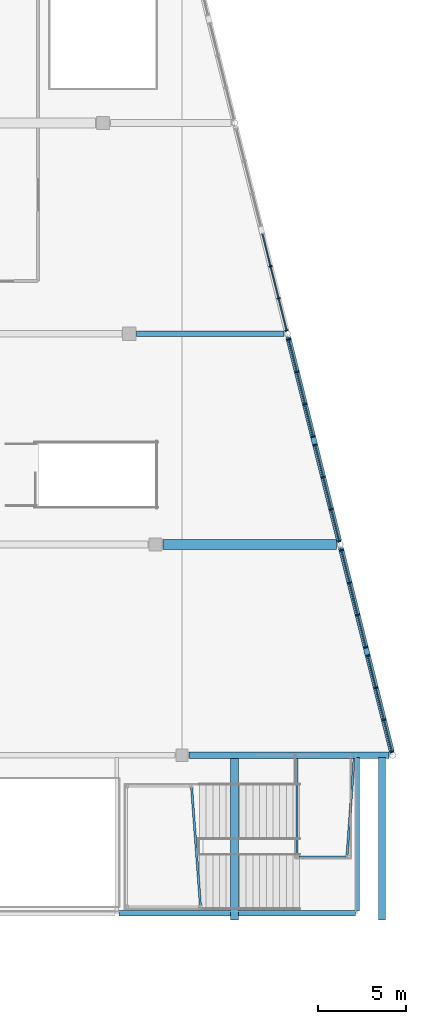
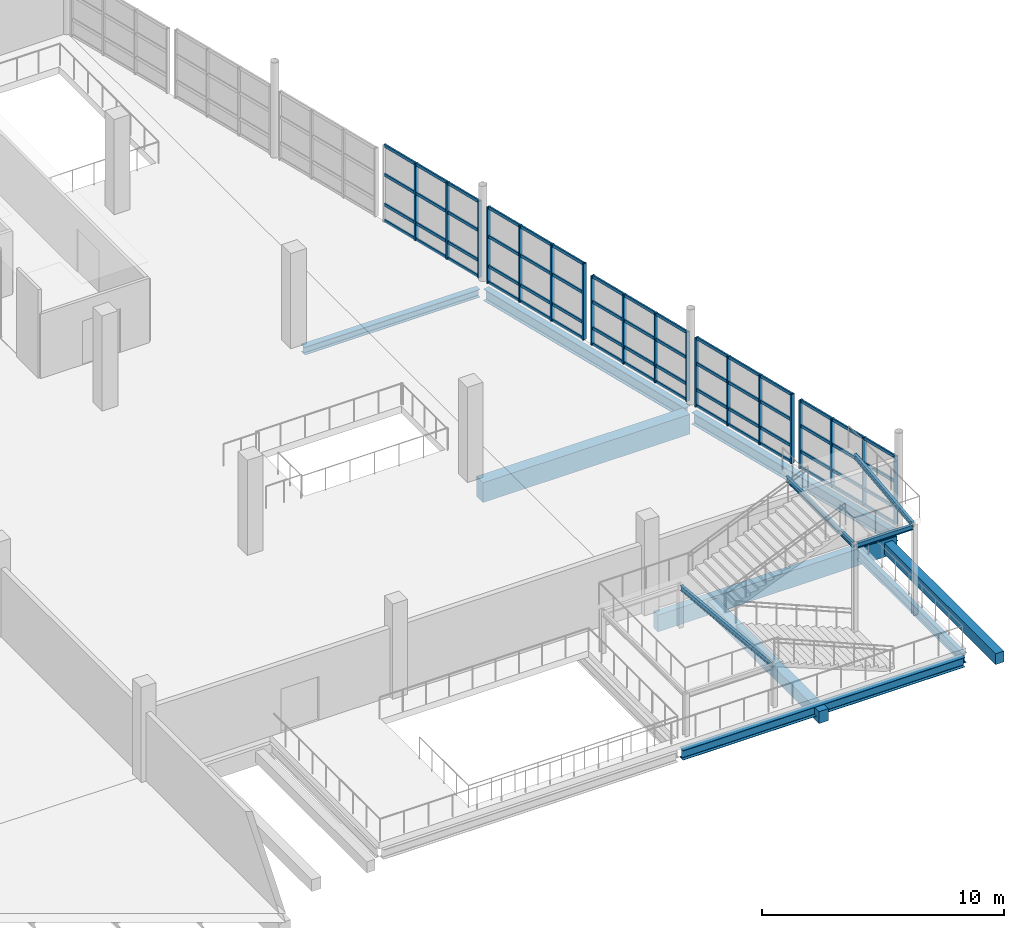
# One storey, part 40 of 112: 41 members, 11 beams, 5 elements without a shape of their own.
"""IFC4 building model written with IfcOpenShell, lengths in metres."""

from ifc_helpers import new_model, si_unit, direction, frame, origin, origin_2d, place, context, subcontext, project, spatial, rectangle, i_section, extrude, material, material_profile, profile_set, type_object, element, aggregate, save


model = new_model("IFC4")

# Units and contexts
model_context = context("Model", 3, precision=1e-05, world=origin(), true_north=direction((0.0, 1.0)))
body_context = subcontext(model_context, "Body", "Model", "MODEL_VIEW")
ifc_project = project(units=[si_unit("LENGTHUNIT", "METRE"), si_unit("AREAUNIT", "SQUARE_METRE"), si_unit("VOLUMEUNIT", "CUBIC_METRE"), si_unit("PLANEANGLEUNIT", "RADIAN"), si_unit("MASSUNIT", "GRAM", prefix="KILO")], contexts=[model_context])

# Site, building, storey
site_placement = place(None, origin())
site = spatial("IfcSite", under=ifc_project, at=site_placement, CompositionType="ELEMENT")
building_placement = place(site_placement, origin())
building = spatial("IfcBuilding", under=site, at=building_placement, Name="Kamomehara Wholesale Market", CompositionType="ELEMENT")
storey_placement = place(building_placement, frame((0.0, 0.0, 6.60009765625)))
storey = spatial("IfcBuildingStorey", under=building, at=storey_placement, Name="L01", CompositionType="ELEMENT", Elevation=6.60009765625)

# Beams
ifc_material_1 = material(Name="Concrete Fc36 (C35/45)", Category="concrete")
ifc_material_profile_1 = material_profile(ifc_material_1, rectangle(XDim=0.550048828125, YDim=1.0, at=origin_2d()), Name="RC-SEB-550x1000")
ifc_profile_set_1 = profile_set([ifc_material_profile_1], Name="Concrete Fc36 (C35/45)")
beam_type_1 = type_object("IfcBeamType", Name="BM-SEB1000-EXT", PredefinedType="SPANDREL", material=ifc_profile_set_1)
beam_1_placement = place(storey_placement, frame((190.925048828125, 36.0, -0.85205078125), z_axis=(1.0, 0.0, 0.0), x_axis=(0.0, 1.0, 0.0)))
element("IfcBeam", 1, at=beam_1_placement, inside=storey, type_object=beam_type_1, Name="Beam SEB-03E L01", PredefinedType="SPANDREL", context=body_context, shape_type="SweptSolid", body=[
    extrude(rectangle(XDim=0.550048828125, YDim=1.0, at=origin_2d()), origin(), (0.0, 0.0, 1.0), 9.8720703125),
])
ifc_material_2 = material(Name="Precast concrete Fc45 (C40/50)", Category="concrete")
ifc_material_profile_2 = material_profile(ifc_material_2, rectangle(XDim=0.35009765625, YDim=0.85009765625, at=origin_2d()), Name="PC-SPN-350x850")
ifc_profile_set_2 = profile_set([ifc_material_profile_2], Name="Precast concrete Fc45 (C40/50)")
beam_type_2 = type_object("IfcBeamType", Name="BM-SPN850-EXT", PredefinedType="SPANDREL", material=ifc_profile_set_2)
beam_2_placement = place(storey_placement, frame((192.39990234375, 24.0, -0.752197265625), z_axis=(1.0, 0.0, 0.0), x_axis=(0.0, 1.0, 0.0)))
element("IfcBeam", 2, at=beam_2_placement, inside=storey, type_object=beam_type_2, Name="Beam SPN-02E L01", PredefinedType="SPANDREL", context=body_context, shape_type="SweptSolid", body=[
    extrude(rectangle(XDim=0.35009765625, YDim=0.85009765625, at=origin_2d()), origin(), (0.0, 0.0, 1.0), 11.397216796875),
])
ifc_material_3 = material(Name="Steel SN400B", Category="steel")
ifc_material_profile_3 = material_profile(ifc_material_3, i_section(OverallWidth=0.125, OverallDepth=0.25, WebThickness=0.006103515625, FlangeThickness=0.009033203125, FilletRadius=0.008056640625, at=origin_2d()), Name="H-250x125x6x9")
ifc_profile_set_3 = profile_set([ifc_material_profile_3], Name="Steel SN400B")
beam_type_3 = type_object("IfcBeamType", Name="BM-ST-H250-EXT", PredefinedType="JOIST", material=ifc_profile_set_3)
beam_3_placement = place(storey_placement, frame((198.64990234375, 18.199951171875, 4.434814453125), z_axis=(1.0, 0.0, 0.0), x_axis=(0.0, 1.0, 0.0)))
element("IfcBeam", 3, at=beam_3_placement, inside=storey, type_object=beam_type_3, Name="Beam SJ-06E L01", PredefinedType="JOIST", context=body_context, shape_type="SweptSolid", body=[
    extrude(i_section(OverallWidth=0.125, OverallDepth=0.25, WebThickness=0.006103515625, FlangeThickness=0.009033203125, FilletRadius=0.008056640625, at=origin_2d()), origin(), (0.0, 0.0, 1.0), 2.650146484375),
])
beam_4_placement = place(storey_placement, frame((198.550048828125, 18.300048828125, 4.434814453125), z_axis=(0.0, 1.0, 0.0), x_axis=(-1.0, 0.0, 0.0)))
element("IfcBeam", 4, at=beam_4_placement, inside=storey, type_object=beam_type_3, Name="Beam SJ-06E L01", PredefinedType="JOIST", context=body_context, shape_type="SweptSolid", body=[
    extrude(i_section(OverallWidth=0.125, OverallDepth=0.25, WebThickness=0.006103515625, FlangeThickness=0.009033203125, FilletRadius=0.008056640625, at=origin_2d()), origin(), (0.0, 0.0, 1.0), 5.5),
])
beam_5_placement = place(storey_placement, frame((201.39990234375, 18.300048828125, 4.434814453125), z_axis=(0.072562119306, 0.997363894896, 0.0), x_axis=(-0.997363894896, 0.072562119306, 0.0)))
element("IfcBeam", 5, at=beam_5_placement, inside=storey, type_object=beam_type_3, Name="Beam SJ-06E L01", PredefinedType="JOIST", context=body_context, shape_type="SweptSolid", body=[
    extrude(i_section(OverallWidth=0.125, OverallDepth=0.25, WebThickness=0.006103515625, FlangeThickness=0.009033203125, FilletRadius=0.008056640625, at=origin_2d()), origin(), (0.0, 0.0, 1.0), 5.5146484375),
])
beam_6_placement = place(storey_placement, frame((193.050048828125, 15.449951171875, 2.034912109375), z_axis=(-0.074420464178, 0.997226952359, 0.0), x_axis=(-0.997226952359, -0.074420464178, 0.0)))
element("IfcBeam", 6, at=beam_6_placement, inside=storey, type_object=beam_type_3, Name="Beam SJ-06E L01 ST20.2", PredefinedType="JOIST", context=body_context, shape_type="SweptSolid", body=[
    extrude(i_section(OverallWidth=0.125, OverallDepth=0.25, WebThickness=0.006103515625, FlangeThickness=0.009033203125, FilletRadius=0.008056640625, at=origin_2d()), origin(), (0.0, 0.0, 1.0), 6.718505859375),
])
ifc_material_4 = material(Name="Steel SN490B", Category="steel")
ifc_material_profile_4 = material_profile(ifc_material_4, i_section(OverallWidth=0.300048828125, OverallDepth=0.389892578125, WebThickness=0.010009765625, FlangeThickness=0.01611328125, FilletRadius=0.01806640625, at=origin_2d()), Name="H-390x300x10x16")
ifc_profile_set_4 = profile_set([ifc_material_profile_4], Name="Steel SN490B")
beam_type_4 = type_object("IfcBeamType", Name="BM-ST-H390-EXT", PredefinedType="SPANDREL", material=ifc_profile_set_4)
beam_7_placement = place(storey_placement, frame((189.425048828125, 48.0, -0.547119140625), z_axis=(1.0, 0.0, 0.0), x_axis=(0.0, 1.0, 0.0)))
element("IfcBeam", 7, at=beam_7_placement, inside=storey, type_object=beam_type_4, Name="Beam SJ-03E L01", PredefinedType="SPANDREL", context=body_context, shape_type="SweptSolid", body=[
    extrude(i_section(OverallWidth=0.300048828125, OverallDepth=0.389892578125, WebThickness=0.010009765625, FlangeThickness=0.01611328125, FilletRadius=0.01806640625, at=origin_2d()), origin(), (0.0, 0.0, 1.0), 8.3720703125),
])
ifc_material_5 = material(Name="Steel SN490B", Category="steel")
ifc_material_profile_5 = material_profile(ifc_material_5, i_section(OverallWidth=0.300048828125, OverallDepth=0.488037109375, WebThickness=0.010986328125, FlangeThickness=0.01806640625, FilletRadius=0.02197265625, at=origin_2d()), Name="H-488x300x11x18")
ifc_profile_set_5 = profile_set([ifc_material_profile_5], Name="Steel SN490B")
beam_type_5 = type_object("IfcBeamType", Name="BM-ST-H488-EXT", PredefinedType="BEAM", material=ifc_profile_set_5)
beam_8_placement = place(storey_placement, frame((188.425048828125, 15.0, -0.571044921875), z_axis=(1.0, 0.0, 0.0), x_axis=(0.0, 1.0, 0.0)))
element("IfcBeam", 8, at=beam_8_placement, inside=storey, type_object=beam_type_5, Name="Beam SG-08E L01", PredefinedType="BEAM", context=body_context, shape_type="SweptSolid", body=[
    extrude(i_section(OverallWidth=0.300048828125, OverallDepth=0.488037109375, WebThickness=0.010986328125, FlangeThickness=0.01806640625, FilletRadius=0.02197265625, at=origin_2d()), origin(), (0.0, 0.0, 1.0), 13.449951171875),
])
ifc_material_6 = material(Name="Steel SN490B", Category="steel")
ifc_material_profile_6 = material_profile(ifc_material_6, i_section(OverallWidth=0.199951171875, OverallDepth=0.5, WebThickness=0.010009765625, FlangeThickness=0.01611328125, FilletRadius=0.012939453125, at=origin_2d()), Name="H-500x200x10x16")
ifc_profile_set_6 = profile_set([ifc_material_profile_6], Name="Steel SN490B")
beam_type_6 = type_object("IfcBeamType", Name="BM-ST-H500-EXT", PredefinedType="BEAM", material=ifc_profile_set_6)
beam_9_placement = place(storey_placement, frame((202.0, 15.125, -0.5771484375), z_axis=(0.0, 1.0, 0.0), x_axis=(-1.0, 0.0, 0.0)))
element("IfcBeam", 9, at=beam_9_placement, inside=storey, type_object=beam_type_6, Name="Beam SG-07E L01", PredefinedType="BEAM", context=body_context, shape_type="SweptSolid", body=[
    extrude(i_section(OverallWidth=0.199951171875, OverallDepth=0.5, WebThickness=0.010009765625, FlangeThickness=0.01611328125, FilletRadius=0.012939453125, at=origin_2d()), origin(), (0.0, 0.0, 1.0), 8.75),
])
ifc_material_7 = material(Name="Steel SN490B", Category="steel")
ifc_material_profile_7 = material_profile(ifc_material_7, i_section(OverallWidth=0.300048828125, OverallDepth=0.587890625, WebThickness=0.011962890625, FlangeThickness=0.02001953125, FilletRadius=0.02197265625, at=origin_2d()), Name="H-588x300x12x20")
ifc_profile_set_7 = profile_set([ifc_material_profile_7], Name="Steel SN490B")
beam_type_7 = type_object("IfcBeamType", Name="BM-ST-H588-EXT", PredefinedType="BEAM", material=ifc_profile_set_7)
for number, where, z_axis, x_axis, name in (
    (10, (203.950927734375, 24.197021484375, -0.6162109375), (-0.242564435623, 0.970135297044, 0.0), (-0.970135297044, -0.242564435623, 0.0), "Beam SG-06E L01"),
    (11, (200.950927734375, 36.197021484375, -0.6162109375), (-0.242564435623, 0.970135297044, 0.0), (-0.970135297044, -0.242564435623, 0.0), "Beam SG-06E L01"),
):
    element("IfcBeam", number, at=place(storey_placement, frame(where, z_axis=z_axis, x_axis=x_axis)), inside=storey, type_object=beam_type_7, Name=name, PredefinedType="BEAM", context=body_context, shape_type="SweptSolid", body=[
        extrude(i_section(OverallWidth=0.300048828125, OverallDepth=0.587890625, WebThickness=0.011962890625, FlangeThickness=0.02001953125, FilletRadius=0.02197265625, at=origin_2d()), origin(), (0.0, 0.0, 1.0), 11.963134765625),
    ])

# Curtain wall, members
ifc_material_8 = material(Name="Anodised aluminium 6063-T5", Category="aluminium")
curtain_wall_type = type_object("IfcCurtainWallType", Name="CW-UN-09", PredefinedType="NOTDEFINED", material=ifc_material_8)
curtain_wall_1_placement = place(storey_placement, origin())
curtain_wall_1 = element("IfcCurtainWall", 12, at=curtain_wall_1_placement, inside=storey, type_object=curtain_wall_type, Name="Unitised curtain wall CW-177", PredefinedType="NOTDEFINED")
ifc_material_9 = material(Name="Anodised aluminium 6063-T5", Category="aluminium")
ifc_material_profile_8 = material_profile(ifc_material_9, rectangle(XDim=0.074951171875, YDim=0.179931640625, at=origin_2d()), Name="ALU-MUL-75x180")
ifc_profile_set_8 = profile_set([ifc_material_profile_8], Name="Anodised aluminium 6063-T5")
member_type_1 = type_object("IfcMemberType", Name="CW-MUL-180", PredefinedType="MULLION", material=ifc_profile_set_8)
member_1_placement = place(storey_placement, frame((201.0849609375, 35.659912109375, 0.0), z_axis=(0.0, 0.0, 1.0), x_axis=(0.242617855844, -0.97012193874, 0.0)))
member_1 = element("IfcMember", 13, at=member_1_placement, type_object=member_type_1, Name="Mullion CW-177.0", PredefinedType="MULLION", context=body_context, shape_type="SweptSolid", body=[
    extrude(rectangle(XDim=0.074951171875, YDim=0.179931640625, at=origin_2d()), origin(), (0.0, 0.0, 1.0), 3.48779296875),
])
member_2_placement = place(storey_placement, frame((201.544921875, 33.822021484375, 0.0), z_axis=(0.0, 0.0, 1.0), x_axis=(0.242617855844, -0.97012193874, 0.0)))
member_2 = element("IfcMember", 14, at=member_2_placement, type_object=member_type_1, Name="Mullion CW-177.1", PredefinedType="MULLION", context=body_context, shape_type="SweptSolid", body=[
    extrude(rectangle(XDim=0.074951171875, YDim=0.179931640625, at=origin_2d()), origin(), (0.0, 0.0, 1.0), 3.48779296875),
])
member_3_placement = place(storey_placement, frame((202.00390625, 31.98388671875, 0.0), z_axis=(0.0, 0.0, 1.0), x_axis=(0.242617855844, -0.97012193874, 0.0)))
member_3 = element("IfcMember", 15, at=member_3_placement, type_object=member_type_1, Name="Mullion CW-177.2", PredefinedType="MULLION", context=body_context, shape_type="SweptSolid", body=[
    extrude(rectangle(XDim=0.074951171875, YDim=0.179931640625, at=origin_2d()), origin(), (0.0, 0.0, 1.0), 3.48779296875),
])
member_4_placement = place(storey_placement, frame((202.464111328125, 30.14599609375, 0.0), z_axis=(0.0, 0.0, 1.0), x_axis=(0.242617855844, -0.97012193874, 0.0)))
member_4 = element("IfcMember", 16, at=member_4_placement, type_object=member_type_1, Name="Mullion CW-177.3", PredefinedType="MULLION", context=body_context, shape_type="SweptSolid", body=[
    extrude(rectangle(XDim=0.074951171875, YDim=0.179931640625, at=origin_2d()), origin(), (0.0, 0.0, 1.0), 3.48779296875),
])

curtain_wall_2_placement = place(storey_placement, origin())
curtain_wall_2 = element("IfcCurtainWall", 17, at=curtain_wall_2_placement, inside=storey, type_object=curtain_wall_type, Name="Unitised curtain wall CW-178", PredefinedType="NOTDEFINED")
member_5_placement = place(storey_placement, frame((202.5849609375, 29.659912109375, 0.0), z_axis=(0.0, 0.0, 1.0), x_axis=(0.242451920441, -0.970163422458, 0.0)))
member_5 = element("IfcMember", 18, at=member_5_placement, type_object=member_type_1, Name="Mullion CW-178.0", PredefinedType="MULLION", context=body_context, shape_type="SweptSolid", body=[
    extrude(rectangle(XDim=0.074951171875, YDim=0.179931640625, at=origin_2d()), origin(), (0.0, 0.0, 1.0), 3.44287109375),
])
member_6_placement = place(storey_placement, frame((203.041015625, 27.833984375, 0.0), z_axis=(0.0, 0.0, 1.0), x_axis=(0.242451920441, -0.970163422458, 0.0)))
member_6 = element("IfcMember", 19, at=member_6_placement, type_object=member_type_1, Name="Mullion CW-178.1", PredefinedType="MULLION", context=body_context, shape_type="SweptSolid", body=[
    extrude(rectangle(XDim=0.074951171875, YDim=0.179931640625, at=origin_2d()), origin(), (0.0, 0.0, 1.0), 3.44287109375),
])
member_7_placement = place(storey_placement, frame((203.498046875, 26.008056640625, 0.0), z_axis=(0.0, 0.0, 1.0), x_axis=(0.242451920441, -0.970163422458, 0.0)))
member_7 = element("IfcMember", 20, at=member_7_placement, type_object=member_type_1, Name="Mullion CW-178.2", PredefinedType="MULLION", context=body_context, shape_type="SweptSolid", body=[
    extrude(rectangle(XDim=0.074951171875, YDim=0.179931640625, at=origin_2d()), origin(), (0.0, 0.0, 1.0), 3.44287109375),
])
member_8_placement = place(storey_placement, frame((203.9541015625, 24.181884765625, 0.0), z_axis=(0.0, 0.0, 1.0), x_axis=(0.242451920441, -0.970163422458, 0.0)))
member_8 = element("IfcMember", 21, at=member_8_placement, type_object=member_type_1, Name="Mullion CW-178.3", PredefinedType="MULLION", context=body_context, shape_type="SweptSolid", body=[
    extrude(rectangle(XDim=0.074951171875, YDim=0.179931640625, at=origin_2d()), origin(), (0.0, 0.0, 1.0), 3.44287109375),
])

curtain_wall_3_placement = place(storey_placement, origin())
curtain_wall_3 = element("IfcCurtainWall", 22, at=curtain_wall_3_placement, inside=storey, type_object=curtain_wall_type, Name="Unitised curtain wall CW-179", PredefinedType="NOTDEFINED")
member_9_placement = place(storey_placement, frame((198.0849609375, 47.659912109375, 0.0), z_axis=(0.0, 0.0, 1.0), x_axis=(0.242617855844, -0.97012193874, 0.0)))
member_9 = element("IfcMember", 23, at=member_9_placement, type_object=member_type_1, Name="Mullion CW-179.0", PredefinedType="MULLION", context=body_context, shape_type="SweptSolid", body=[
    extrude(rectangle(XDim=0.074951171875, YDim=0.179931640625, at=origin_2d()), origin(), (0.0, 0.0, 1.0), 3.849853515625),
])
member_10_placement = place(storey_placement, frame((198.544921875, 45.822021484375, 0.0), z_axis=(0.0, 0.0, 1.0), x_axis=(0.242617855844, -0.97012193874, 0.0)))
member_10 = element("IfcMember", 24, at=member_10_placement, type_object=member_type_1, Name="Mullion CW-179.1", PredefinedType="MULLION", context=body_context, shape_type="SweptSolid", body=[
    extrude(rectangle(XDim=0.074951171875, YDim=0.179931640625, at=origin_2d()), origin(), (0.0, 0.0, 1.0), 3.849853515625),
])
member_11_placement = place(storey_placement, frame((199.00390625, 43.98388671875, 0.0), z_axis=(0.0, 0.0, 1.0), x_axis=(0.242617855844, -0.97012193874, 0.0)))
member_11 = element("IfcMember", 25, at=member_11_placement, type_object=member_type_1, Name="Mullion CW-179.2", PredefinedType="MULLION", context=body_context, shape_type="SweptSolid", body=[
    extrude(rectangle(XDim=0.074951171875, YDim=0.179931640625, at=origin_2d()), origin(), (0.0, 0.0, 1.0), 3.849853515625),
])
member_12_placement = place(storey_placement, frame((199.464111328125, 42.14599609375, 0.0), z_axis=(0.0, 0.0, 1.0), x_axis=(0.242617855844, -0.97012193874, 0.0)))
member_12 = element("IfcMember", 26, at=member_12_placement, type_object=member_type_1, Name="Mullion CW-179.3", PredefinedType="MULLION", context=body_context, shape_type="SweptSolid", body=[
    extrude(rectangle(XDim=0.074951171875, YDim=0.179931640625, at=origin_2d()), origin(), (0.0, 0.0, 1.0), 3.849853515625),
])

curtain_wall_4_placement = place(storey_placement, origin())
curtain_wall_4 = element("IfcCurtainWall", 27, at=curtain_wall_4_placement, inside=storey, type_object=curtain_wall_type, Name="Unitised curtain wall CW-180", PredefinedType="NOTDEFINED")
member_13_placement = place(storey_placement, frame((199.5849609375, 41.659912109375, 0.0), z_axis=(0.0, 0.0, 1.0), x_axis=(0.242451920441, -0.970163422458, 0.0)))
member_13 = element("IfcMember", 28, at=member_13_placement, type_object=member_type_1, Name="Mullion CW-180.0", PredefinedType="MULLION", context=body_context, shape_type="SweptSolid", body=[
    extrude(rectangle(XDim=0.074951171875, YDim=0.179931640625, at=origin_2d()), origin(), (0.0, 0.0, 1.0), 3.48779296875),
])
member_14_placement = place(storey_placement, frame((200.041015625, 39.833984375, 0.0), z_axis=(0.0, 0.0, 1.0), x_axis=(0.242451920441, -0.970163422458, 0.0)))
member_14 = element("IfcMember", 29, at=member_14_placement, type_object=member_type_1, Name="Mullion CW-180.1", PredefinedType="MULLION", context=body_context, shape_type="SweptSolid", body=[
    extrude(rectangle(XDim=0.074951171875, YDim=0.179931640625, at=origin_2d()), origin(), (0.0, 0.0, 1.0), 3.48779296875),
])
member_15_placement = place(storey_placement, frame((200.498046875, 38.008056640625, 0.0), z_axis=(0.0, 0.0, 1.0), x_axis=(0.242451920441, -0.970163422458, 0.0)))
member_15 = element("IfcMember", 30, at=member_15_placement, type_object=member_type_1, Name="Mullion CW-180.2", PredefinedType="MULLION", context=body_context, shape_type="SweptSolid", body=[
    extrude(rectangle(XDim=0.074951171875, YDim=0.179931640625, at=origin_2d()), origin(), (0.0, 0.0, 1.0), 3.48779296875),
])
member_16_placement = place(storey_placement, frame((200.9541015625, 36.181884765625, 0.0), z_axis=(0.0, 0.0, 1.0), x_axis=(0.242451920441, -0.970163422458, 0.0)))
member_16 = element("IfcMember", 31, at=member_16_placement, type_object=member_type_1, Name="Mullion CW-180.3", PredefinedType="MULLION", context=body_context, shape_type="SweptSolid", body=[
    extrude(rectangle(XDim=0.074951171875, YDim=0.179931640625, at=origin_2d()), origin(), (0.0, 0.0, 1.0), 3.48779296875),
])

curtain_wall_5_placement = place(storey_placement, origin())
curtain_wall_5 = element("IfcCurtainWall", 32, at=curtain_wall_5_placement, inside=storey, type_object=curtain_wall_type, Name="Unitised curtain wall CW-182", PredefinedType="NOTDEFINED")
member_17_placement = place(storey_placement, frame((197.041015625, 51.833984375, 0.0), z_axis=(0.0, 0.0, 1.0), x_axis=(0.242451920441, -0.970163422458, 0.0)))
member_17 = element("IfcMember", 33, at=member_17_placement, type_object=member_type_1, Name="Mullion CW-182.1", PredefinedType="MULLION", context=body_context, shape_type="SweptSolid", body=[
    extrude(rectangle(XDim=0.074951171875, YDim=0.179931640625, at=origin_2d()), origin(), (0.0, 0.0, 1.0), 3.85986328125),
])
member_18_placement = place(storey_placement, frame((197.498046875, 50.008056640625, 0.0), z_axis=(0.0, 0.0, 1.0), x_axis=(0.242451920441, -0.970163422458, 0.0)))
member_18 = element("IfcMember", 34, at=member_18_placement, type_object=member_type_1, Name="Mullion CW-182.2", PredefinedType="MULLION", context=body_context, shape_type="SweptSolid", body=[
    extrude(rectangle(XDim=0.074951171875, YDim=0.179931640625, at=origin_2d()), origin(), (0.0, 0.0, 1.0), 3.85986328125),
])
member_19_placement = place(storey_placement, frame((197.9541015625, 48.181884765625, 0.0), z_axis=(0.0, 0.0, 1.0), x_axis=(0.242451920441, -0.970163422458, 0.0)))
member_19 = element("IfcMember", 35, at=member_19_placement, type_object=member_type_1, Name="Mullion CW-182.3", PredefinedType="MULLION", context=body_context, shape_type="SweptSolid", body=[
    extrude(rectangle(XDim=0.074951171875, YDim=0.179931640625, at=origin_2d()), origin(), (0.0, 0.0, 1.0), 3.85986328125),
])

# Member
ifc_material_10 = material(Name="Anodised aluminium 6063-T5", Category="aluminium")
ifc_material_profile_9 = material_profile(ifc_material_10, rectangle(XDim=0.074951171875, YDim=0.14990234375, at=origin_2d()), Name="ALU-TRN-75x150")
ifc_profile_set_9 = profile_set([ifc_material_profile_9], Name="Anodised aluminium 6063-T5")
member_type_2 = type_object("IfcMemberType", Name="CW-TRN-150", PredefinedType="USERDEFINED", material=ifc_profile_set_9)
member_20_placement = place(storey_placement, frame((201.0849609375, 35.659912109375, 0.039794921875), z_axis=(0.242646798343, -0.97011470005, 0.0), x_axis=(0.97011470005, 0.242646798343, 0.0)))
member_20 = element("IfcMember", 36, at=member_20_placement, type_object=member_type_2, Name="Transom CW-177.0", ObjectType="TRANSOM", PredefinedType="USERDEFINED", context=body_context, shape_type="SweptSolid", body=[
    extrude(rectangle(XDim=0.074951171875, YDim=0.14990234375, at=origin_2d()), origin(), (0.0, 0.0, 1.0), 5.683837890625),
])

member_21_placement = place(storey_placement, frame((201.0849609375, 35.659912109375, 0.849853515625), z_axis=(0.242646798343, -0.97011470005, 0.0), x_axis=(0.97011470005, 0.242646798343, 0.0)))
member_21 = element("IfcMember", 37, at=member_21_placement, type_object=member_type_2, Name="Transom CW-177.1", ObjectType="TRANSOM", PredefinedType="USERDEFINED", context=body_context, shape_type="SweptSolid", body=[
    extrude(rectangle(XDim=0.074951171875, YDim=0.14990234375, at=origin_2d()), origin(), (0.0, 0.0, 1.0), 5.683837890625),
])

member_22_placement = place(storey_placement, frame((201.0849609375, 35.659912109375, 2.1689453125), z_axis=(0.242646798343, -0.97011470005, 0.0), x_axis=(0.97011470005, 0.242646798343, 0.0)))
member_22 = element("IfcMember", 38, at=member_22_placement, type_object=member_type_2, Name="Transom CW-177.2", ObjectType="TRANSOM", PredefinedType="USERDEFINED", context=body_context, shape_type="SweptSolid", body=[
    extrude(rectangle(XDim=0.074951171875, YDim=0.14990234375, at=origin_2d()), origin(), (0.0, 0.0, 1.0), 5.683837890625),
])

member_23_placement = place(storey_placement, frame((201.0849609375, 35.659912109375, 3.447998046875), z_axis=(0.242646798343, -0.97011470005, 0.0), x_axis=(0.97011470005, 0.242646798343, 0.0)))
member_23 = element("IfcMember", 39, at=member_23_placement, type_object=member_type_2, Name="Transom CW-177.3", ObjectType="TRANSOM", PredefinedType="USERDEFINED", context=body_context, shape_type="SweptSolid", body=[
    extrude(rectangle(XDim=0.074951171875, YDim=0.14990234375, at=origin_2d()), origin(), (0.0, 0.0, 1.0), 5.683837890625),
])

aggregate(curtain_wall_1, [member_1, member_2, member_3, member_4, member_20, member_21, member_22, member_23])

member_24_placement = place(storey_placement, frame((202.5849609375, 29.659912109375, 0.039794921875), z_axis=(0.242474583711, -0.970157758436, 0.0), x_axis=(0.970157758436, 0.242474583711, 0.0)))
member_24 = element("IfcMember", 40, at=member_24_placement, type_object=member_type_2, Name="Transom CW-178.0", ObjectType="TRANSOM", PredefinedType="USERDEFINED", context=body_context, shape_type="SweptSolid", body=[
    extrude(rectangle(XDim=0.074951171875, YDim=0.14990234375, at=origin_2d()), origin(), (0.0, 0.0, 1.0), 5.646484375),
])

member_25_placement = place(storey_placement, frame((202.5849609375, 29.659912109375, 0.849853515625), z_axis=(0.242474583711, -0.970157758436, 0.0), x_axis=(0.970157758436, 0.242474583711, 0.0)))
member_25 = element("IfcMember", 41, at=member_25_placement, type_object=member_type_2, Name="Transom CW-178.1", ObjectType="TRANSOM", PredefinedType="USERDEFINED", context=body_context, shape_type="SweptSolid", body=[
    extrude(rectangle(XDim=0.074951171875, YDim=0.14990234375, at=origin_2d()), origin(), (0.0, 0.0, 1.0), 5.646484375),
])

member_26_placement = place(storey_placement, frame((202.5849609375, 29.659912109375, 2.14599609375), z_axis=(0.242474583711, -0.970157758436, 0.0), x_axis=(0.970157758436, 0.242474583711, 0.0)))
member_26 = element("IfcMember", 42, at=member_26_placement, type_object=member_type_2, Name="Transom CW-178.2", ObjectType="TRANSOM", PredefinedType="USERDEFINED", context=body_context, shape_type="SweptSolid", body=[
    extrude(rectangle(XDim=0.074951171875, YDim=0.14990234375, at=origin_2d()), origin(), (0.0, 0.0, 1.0), 5.646484375),
])

member_27_placement = place(storey_placement, frame((202.5849609375, 29.659912109375, 3.40283203125), z_axis=(0.242474583711, -0.970157758436, 0.0), x_axis=(0.970157758436, 0.242474583711, 0.0)))
member_27 = element("IfcMember", 43, at=member_27_placement, type_object=member_type_2, Name="Transom CW-178.3", ObjectType="TRANSOM", PredefinedType="USERDEFINED", context=body_context, shape_type="SweptSolid", body=[
    extrude(rectangle(XDim=0.074951171875, YDim=0.14990234375, at=origin_2d()), origin(), (0.0, 0.0, 1.0), 5.646484375),
])

aggregate(curtain_wall_2, [member_5, member_6, member_7, member_8, member_24, member_25, member_26, member_27])

member_28_placement = place(storey_placement, frame((198.0849609375, 47.659912109375, 0.039794921875), z_axis=(0.242646798343, -0.97011470005, 0.0), x_axis=(0.97011470005, 0.242646798343, 0.0)))
member_28 = element("IfcMember", 44, at=member_28_placement, type_object=member_type_2, Name="Transom CW-179.0", ObjectType="TRANSOM", PredefinedType="USERDEFINED", context=body_context, shape_type="SweptSolid", body=[
    extrude(rectangle(XDim=0.074951171875, YDim=0.14990234375, at=origin_2d()), origin(), (0.0, 0.0, 1.0), 5.683837890625),
])

member_29_placement = place(storey_placement, frame((198.0849609375, 47.659912109375, 0.849853515625), z_axis=(0.242646798343, -0.97011470005, 0.0), x_axis=(0.97011470005, 0.242646798343, 0.0)))
member_29 = element("IfcMember", 45, at=member_29_placement, type_object=member_type_2, Name="Transom CW-179.1", ObjectType="TRANSOM", PredefinedType="USERDEFINED", context=body_context, shape_type="SweptSolid", body=[
    extrude(rectangle(XDim=0.074951171875, YDim=0.14990234375, at=origin_2d()), origin(), (0.0, 0.0, 1.0), 5.683837890625),
])

member_30_placement = place(storey_placement, frame((198.0849609375, 47.659912109375, 2.349853515625), z_axis=(0.242646798343, -0.97011470005, 0.0), x_axis=(0.97011470005, 0.242646798343, 0.0)))
member_30 = element("IfcMember", 46, at=member_30_placement, type_object=member_type_2, Name="Transom CW-179.2", ObjectType="TRANSOM", PredefinedType="USERDEFINED", context=body_context, shape_type="SweptSolid", body=[
    extrude(rectangle(XDim=0.074951171875, YDim=0.14990234375, at=origin_2d()), origin(), (0.0, 0.0, 1.0), 5.683837890625),
])

member_31_placement = place(storey_placement, frame((198.0849609375, 47.659912109375, 3.809814453125), z_axis=(0.242646798343, -0.97011470005, 0.0), x_axis=(0.97011470005, 0.242646798343, 0.0)))
member_31 = element("IfcMember", 47, at=member_31_placement, type_object=member_type_2, Name="Transom CW-179.3", ObjectType="TRANSOM", PredefinedType="USERDEFINED", context=body_context, shape_type="SweptSolid", body=[
    extrude(rectangle(XDim=0.074951171875, YDim=0.14990234375, at=origin_2d()), origin(), (0.0, 0.0, 1.0), 5.683837890625),
])

aggregate(curtain_wall_3, [member_9, member_10, member_11, member_12, member_28, member_29, member_30, member_31])

member_32_placement = place(storey_placement, frame((199.5849609375, 41.659912109375, 0.039794921875), z_axis=(0.242474583711, -0.970157758436, 0.0), x_axis=(0.970157758436, 0.242474583711, 0.0)))
member_32 = element("IfcMember", 48, at=member_32_placement, type_object=member_type_2, Name="Transom CW-180.0", ObjectType="TRANSOM", PredefinedType="USERDEFINED", context=body_context, shape_type="SweptSolid", body=[
    extrude(rectangle(XDim=0.074951171875, YDim=0.14990234375, at=origin_2d()), origin(), (0.0, 0.0, 1.0), 5.646484375),
])

member_33_placement = place(storey_placement, frame((199.5849609375, 41.659912109375, 0.849853515625), z_axis=(0.242474583711, -0.970157758436, 0.0), x_axis=(0.970157758436, 0.242474583711, 0.0)))
member_33 = element("IfcMember", 49, at=member_33_placement, type_object=member_type_2, Name="Transom CW-180.1", ObjectType="TRANSOM", PredefinedType="USERDEFINED", context=body_context, shape_type="SweptSolid", body=[
    extrude(rectangle(XDim=0.074951171875, YDim=0.14990234375, at=origin_2d()), origin(), (0.0, 0.0, 1.0), 5.646484375),
])

member_34_placement = place(storey_placement, frame((199.5849609375, 41.659912109375, 2.1689453125), z_axis=(0.242474583711, -0.970157758436, 0.0), x_axis=(0.970157758436, 0.242474583711, 0.0)))
member_34 = element("IfcMember", 50, at=member_34_placement, type_object=member_type_2, Name="Transom CW-180.2", ObjectType="TRANSOM", PredefinedType="USERDEFINED", context=body_context, shape_type="SweptSolid", body=[
    extrude(rectangle(XDim=0.074951171875, YDim=0.14990234375, at=origin_2d()), origin(), (0.0, 0.0, 1.0), 5.646484375),
])

member_35_placement = place(storey_placement, frame((199.5849609375, 41.659912109375, 3.447998046875), z_axis=(0.242474583711, -0.970157758436, 0.0), x_axis=(0.970157758436, 0.242474583711, 0.0)))
member_35 = element("IfcMember", 51, at=member_35_placement, type_object=member_type_2, Name="Transom CW-180.3", ObjectType="TRANSOM", PredefinedType="USERDEFINED", context=body_context, shape_type="SweptSolid", body=[
    extrude(rectangle(XDim=0.074951171875, YDim=0.14990234375, at=origin_2d()), origin(), (0.0, 0.0, 1.0), 5.646484375),
])

aggregate(curtain_wall_4, [member_13, member_14, member_15, member_16, member_32, member_33, member_34, member_35])

member_36_placement = place(storey_placement, frame((196.5849609375, 53.659912109375, 0.039794921875), z_axis=(0.242474583711, -0.970157758436, 0.0), x_axis=(0.970157758436, 0.242474583711, 0.0)))
member_36 = element("IfcMember", 52, at=member_36_placement, type_object=member_type_2, Name="Transom CW-182.0", ObjectType="TRANSOM", PredefinedType="USERDEFINED", context=body_context, shape_type="SweptSolid", body=[
    extrude(rectangle(XDim=0.074951171875, YDim=0.14990234375, at=origin_2d()), origin(), (0.0, 0.0, 1.0), 5.646484375),
])

member_37_placement = place(storey_placement, frame((196.5849609375, 53.659912109375, 0.849853515625), z_axis=(0.242474583711, -0.970157758436, 0.0), x_axis=(0.970157758436, 0.242474583711, 0.0)))
member_37 = element("IfcMember", 53, at=member_37_placement, type_object=member_type_2, Name="Transom CW-182.1", ObjectType="TRANSOM", PredefinedType="USERDEFINED", context=body_context, shape_type="SweptSolid", body=[
    extrude(rectangle(XDim=0.074951171875, YDim=0.14990234375, at=origin_2d()), origin(), (0.0, 0.0, 1.0), 5.646484375),
])

member_38_placement = place(storey_placement, frame((196.5849609375, 53.659912109375, 2.35498046875), z_axis=(0.242474583711, -0.970157758436, 0.0), x_axis=(0.970157758436, 0.242474583711, 0.0)))
member_38 = element("IfcMember", 54, at=member_38_placement, type_object=member_type_2, Name="Transom CW-182.2", ObjectType="TRANSOM", PredefinedType="USERDEFINED", context=body_context, shape_type="SweptSolid", body=[
    extrude(rectangle(XDim=0.074951171875, YDim=0.14990234375, at=origin_2d()), origin(), (0.0, 0.0, 1.0), 5.646484375),
])

member_39_placement = place(storey_placement, frame((196.5849609375, 53.659912109375, 3.81982421875), z_axis=(0.242474583711, -0.970157758436, 0.0), x_axis=(0.970157758436, 0.242474583711, 0.0)))
member_39 = element("IfcMember", 55, at=member_39_placement, type_object=member_type_2, Name="Transom CW-182.3", ObjectType="TRANSOM", PredefinedType="USERDEFINED", context=body_context, shape_type="SweptSolid", body=[
    extrude(rectangle(XDim=0.074951171875, YDim=0.14990234375, at=origin_2d()), origin(), (0.0, 0.0, 1.0), 5.646484375),
])

aggregate(curtain_wall_5, [member_17, member_18, member_19, member_36, member_37, member_38, member_39])

# Members
ifc_material_11 = material(Name="Precast concrete Fc45 (C40/50)", Category="concrete")
ifc_material_profile_10 = material_profile(ifc_material_11, rectangle(XDim=0.39990234375, YDim=0.550048828125, at=origin_2d()), Name="PC-STR-400x550")
ifc_profile_set_10 = profile_set([ifc_material_profile_10], Name="Precast concrete Fc45 (C40/50)")
member_type_3 = type_object("IfcMemberType", Name="MEM-ST-PC550", PredefinedType="STRUT", material=ifc_profile_set_10)
member_40_placement = place(storey_placement, frame((203.39990234375, 14.625, -0.75), z_axis=(0.0, 1.0, 0.0), x_axis=(-1.0, 0.0, 0.0)))
element("IfcMember", 56, at=member_40_placement, inside=storey, type_object=member_type_3, Name="Blade wall tie strut L01 4", PredefinedType="STRUT", context=body_context, shape_type="SweptSolid", body=[
    extrude(rectangle(XDim=0.39990234375, YDim=0.550048828125, at=origin_2d()), origin(), (0.0, 0.0, 1.0), 9.2451171875),
])
ifc_material_12 = material(Name="Precast concrete Fc45 (C40/50)", Category="concrete")
ifc_material_profile_11 = material_profile(ifc_material_12, rectangle(XDim=0.449951171875, YDim=0.60009765625, at=origin_2d()), Name="PC-STR-450x600")
ifc_profile_set_11 = profile_set([ifc_material_profile_11], Name="Precast concrete Fc45 (C40/50)")
member_type_4 = type_object("IfcMemberType", Name="MEM-ST-PC600", PredefinedType="STRUT", material=ifc_profile_set_11)
member_41_placement = place(storey_placement, frame((195.0, 14.625, -0.75), z_axis=(0.0, 1.0, 0.0), x_axis=(-1.0, 0.0, 0.0)))
element("IfcMember", 57, at=member_41_placement, inside=storey, type_object=member_type_4, Name="Blade wall tie strut L01 3", PredefinedType="STRUT", context=body_context, shape_type="SweptSolid", body=[
    extrude(rectangle(XDim=0.449951171875, YDim=0.60009765625, at=origin_2d()), origin(), (0.0, 0.0, 1.0), 9.2451171875),
])

save(model, "model.ifc")
